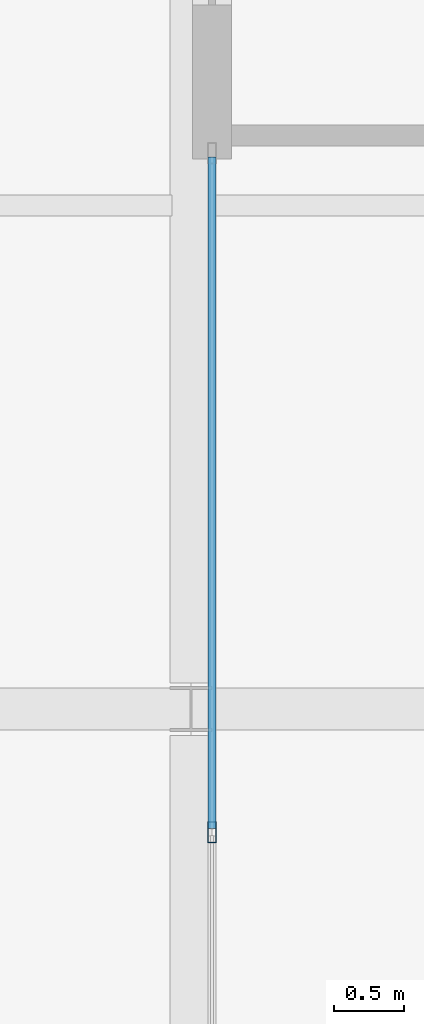
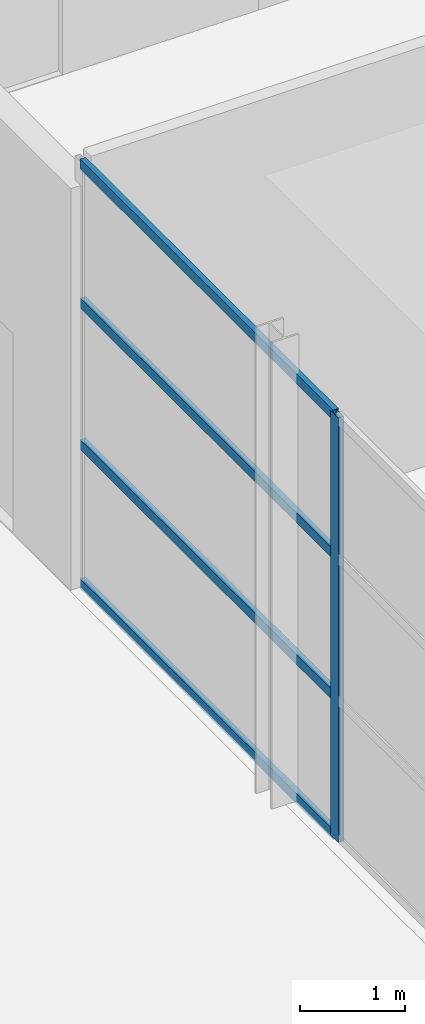
# One storey, part 7 of 34: 5 members, 1 element without a shape of its own.
"""IFC4 building model written with IfcOpenShell, lengths in metres."""

from ifc_helpers import new_model, si_unit, direction, frame, origin, origin_2d, place, context, subcontext, project, spatial, hollow_rectangle, extrude, material, layer, layer_set, material_profile, profile_set, type_object, element, aggregate, save


model = new_model("IFC4")

# Units and contexts
model_context = context("Model", 3, precision=1e-05, world=origin(), true_north=direction((0.0, 1.0)))
body_context = subcontext(model_context, "Body", "Model", "MODEL_VIEW")
ifc_project = project(units=[si_unit("LENGTHUNIT", "METRE"), si_unit("AREAUNIT", "SQUARE_METRE"), si_unit("VOLUMEUNIT", "CUBIC_METRE"), si_unit("PLANEANGLEUNIT", "RADIAN"), si_unit("MASSUNIT", "GRAM", prefix="KILO")], contexts=[model_context])

# Site, building, storey
site_placement = place(None, origin())
site = spatial("IfcSite", under=ifc_project, at=site_placement, CompositionType="ELEMENT")
building_placement = place(site_placement, origin())
building = spatial("IfcBuilding", under=site, at=building_placement, Name="Tamarisk Ironworks Central Station", CompositionType="ELEMENT")
storey_placement = place(building_placement, frame((0.0, 0.0, 25.199951171875)))
storey = spatial("IfcBuildingStorey", under=building, at=storey_placement, Name="L05", CompositionType="ELEMENT", Elevation=25.199951171875)

# Curtain wall, members
ifc_material = material(Name="Anodized aluminium alloy 6063-T6", Category="aluminium")
ifc_layer = layer(ifc_material, 0.179931640625)
ifc_layer_set = layer_set([ifc_layer], Name="Anodized aluminium alloy 6063-T6")
curtain_wall_type = type_object("IfcCurtainWallType", Name="CW-20", PredefinedType="USERDEFINED", material=ifc_layer_set)
curtain_wall_placement = place(storey_placement, origin())
curtain_wall = element("IfcCurtainWall", 1, at=curtain_wall_placement, inside=storey, type_object=curtain_wall_type, Name="Crown terrace overlook curtain wall L05-158", ObjectType="GLAZED CURTAIN WALL", PredefinedType="USERDEFINED")
ifc_material_profile_1 = material_profile(ifc_material, hollow_rectangle(XDim=0.06005859375, YDim=0.14990234375, WallThickness=0.00341796875, at=origin_2d()), Name="ALUM 150x60")
ifc_profile_set_1 = profile_set([ifc_material_profile_1], Name="Anodized aluminium alloy 6063-T6")
member_type_1 = type_object("IfcMemberType", Name="CWM-03", PredefinedType="MULLION", material=ifc_profile_set_1)
member_1_placement = place(storey_placement, frame((140.14990234375, 99.91943359375, 0.0), z_axis=(0.0, 0.0, 1.0), x_axis=(-1.0, 0.0, 0.0)))
member_1 = element("IfcMember", 2, at=member_1_placement, type_object=member_type_1, Name="CW20 mullion 3", PredefinedType="MULLION", context=body_context, shape_type="SweptSolid", body=[
    extrude(hollow_rectangle(XDim=0.06005859375, YDim=0.14990234375, WallThickness=0.00341796875, at=origin_2d()), origin(), (0.0, 0.0, 1.0), 4.920166015625),
])
ifc_material_profile_2 = material_profile(ifc_material, hollow_rectangle(XDim=0.06005859375, YDim=0.114990234375, WallThickness=0.00341796875, at=origin_2d()), Name="ALUM 115x60")
ifc_profile_set_2 = profile_set([ifc_material_profile_2], Name="Anodized aluminium alloy 6063-T6")
member_type_2 = type_object("IfcMemberType", Name="CWT-03", PredefinedType="USERDEFINED", material=ifc_profile_set_2)
member_2_placement = place(storey_placement, frame((140.14990234375, 99.9453125, 0.030029296875), z_axis=(0.0, 1.0, 0.0), x_axis=(-1.0, 0.0, 0.0)))
member_2 = element("IfcMember", 3, at=member_2_placement, type_object=member_type_2, Name="CW20 transom 3.1", ObjectType="TRANSOM", PredefinedType="USERDEFINED", context=body_context, shape_type="SweptSolid", body=[
    extrude(hollow_rectangle(XDim=0.06005859375, YDim=0.114990234375, WallThickness=0.00341796875, at=origin_2d()), origin(), (0.0, 0.0, 1.0), 4.798583984375),
])
member_3_placement = place(storey_placement, frame((140.14990234375, 99.9453125, 1.64013671875), z_axis=(0.0, 1.0, 0.0), x_axis=(-1.0, 0.0, 0.0)))
member_3 = element("IfcMember", 4, at=member_3_placement, type_object=member_type_2, Name="CW20 transom 3.2", ObjectType="TRANSOM", PredefinedType="USERDEFINED", context=body_context, shape_type="SweptSolid", body=[
    extrude(hollow_rectangle(XDim=0.06005859375, YDim=0.114990234375, WallThickness=0.00341796875, at=origin_2d()), origin(), (0.0, 0.0, 1.0), 4.798583984375),
])
member_4_placement = place(storey_placement, frame((140.14990234375, 99.9453125, 3.280029296875), z_axis=(0.0, 1.0, 0.0), x_axis=(-1.0, 0.0, 0.0)))
member_4 = element("IfcMember", 5, at=member_4_placement, type_object=member_type_2, Name="CW20 transom 3.3", ObjectType="TRANSOM", PredefinedType="USERDEFINED", context=body_context, shape_type="SweptSolid", body=[
    extrude(hollow_rectangle(XDim=0.06005859375, YDim=0.114990234375, WallThickness=0.00341796875, at=origin_2d()), origin(), (0.0, 0.0, 1.0), 4.798583984375),
])
member_5_placement = place(storey_placement, frame((140.14990234375, 99.9453125, 4.89013671875), z_axis=(0.0, 1.0, 0.0), x_axis=(-1.0, 0.0, 0.0)))
member_5 = element("IfcMember", 6, at=member_5_placement, type_object=member_type_2, Name="CW20 transom 3.4", ObjectType="TRANSOM", PredefinedType="USERDEFINED", context=body_context, shape_type="SweptSolid", body=[
    extrude(hollow_rectangle(XDim=0.06005859375, YDim=0.114990234375, WallThickness=0.00341796875, at=origin_2d()), origin(), (0.0, 0.0, 1.0), 4.798583984375),
])
aggregate(curtain_wall, [member_1, member_2, member_3, member_4, member_5])

save(model, "model.ifc")
